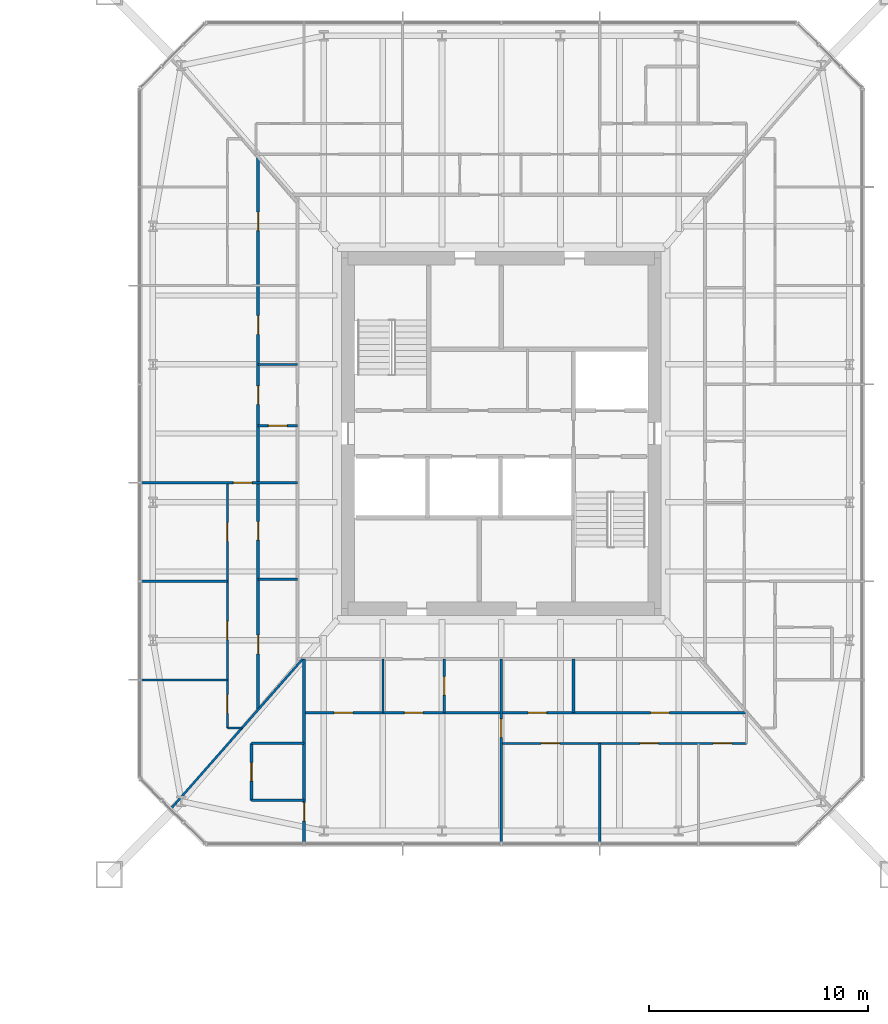
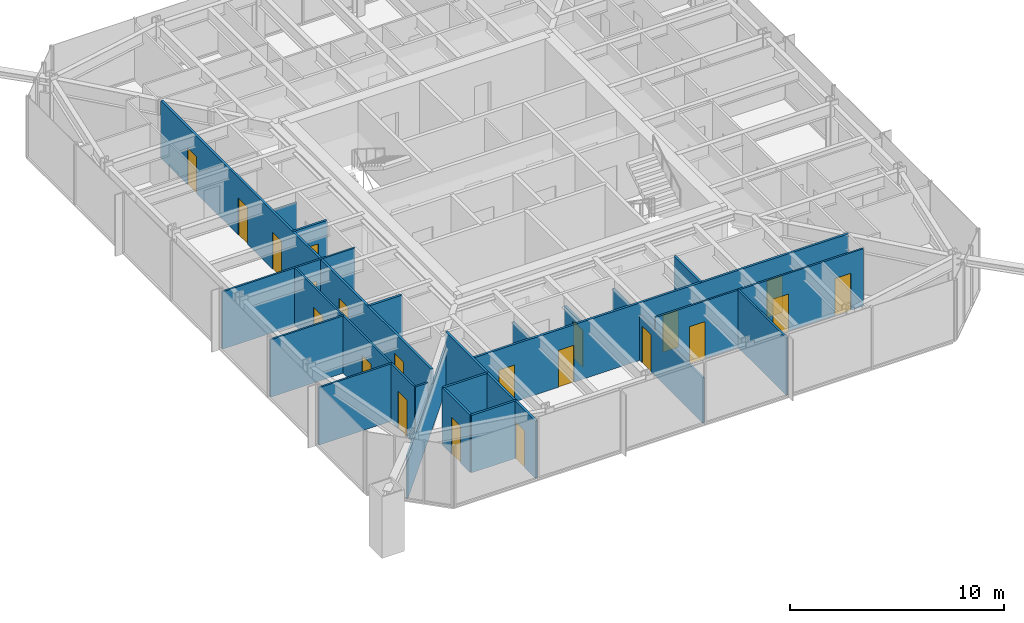
# One storey, part 18 of 26: 21 doors, 21 walls, 21 openings.
"""IFC4 building model written with IfcOpenShell, lengths in metres."""

from ifc_helpers import new_model, si_unit, direction, frame, frame_2d, origin, place, context, subcontext, project, spatial, rectangle, extrude, material, layer, layer_set, type_object, element, fill, save


model = new_model("IFC4")

# Units and contexts
model_context = context("Model", 3, precision=1e-05, world=origin(), true_north=direction((0.0, 1.0)))
body_context = subcontext(model_context, "Body", "Model", "MODEL_VIEW")
ifc_project = project(units=[si_unit("LENGTHUNIT", "METRE"), si_unit("AREAUNIT", "SQUARE_METRE"), si_unit("VOLUMEUNIT", "CUBIC_METRE"), si_unit("PLANEANGLEUNIT", "RADIAN"), si_unit("MASSUNIT", "GRAM", prefix="KILO")], contexts=[model_context])

# Site, building, storey
site_placement = place(None, origin())
site = spatial("IfcSite", under=ifc_project, at=site_placement, CompositionType="ELEMENT")
building_placement = place(site_placement, origin())
building = spatial("IfcBuilding", under=site, at=building_placement, Name="Iwan Alto Co-Living Towers", CompositionType="ELEMENT")
storey_placement = place(building_placement, frame((0.0, 0.0, 36.0)))
storey = spatial("IfcBuildingStorey", under=building, at=storey_placement, Name="L09", CompositionType="ELEMENT", Elevation=36.0)

# Wall, openings, doors
ifc_material_1 = material(Name="Gypsum board")
ifc_layer_1 = layer(ifc_material_1, 0.012451171875, Name="Board", Category="Finish")
ifc_material_2 = material(Name="Steel ASTM A1003 ST33H cold-formed studs", Category="steel")
ifc_layer_2 = layer(ifc_material_2, 0.074951171875, Name="Studs", Category="Framing")
ifc_layer_3 = layer(ifc_material_1, 0.012451171875, Name="Board", Category="Finish")
ifc_layer_set_1 = layer_set([ifc_layer_1, ifc_layer_2, ifc_layer_3], Name="PARTITION 100")
wall_type_1 = type_object("IfcWallType", Name="PARTITION 100", PredefinedType="PARTITIONING", material=ifc_layer_set_1)
wall_1_placement = place(storey_placement, frame((63.0, -14.14990234375, 0.0), z_axis=(0.0, 0.0, 1.0), x_axis=(1.0, 0.0, 0.0)))
wall_1 = element("IfcWall", 1, at=wall_1_placement, inside=storey, type_object=wall_type_1, Name="Partition L09", PredefinedType="PARTITIONING", context=body_context, shape_type="SweptSolid", body=[
    extrude(rectangle(XDim=11.199951171875, YDim=0.10009765625, at=frame_2d((5.60009765625, 0.0))), origin(), (0.0, 0.0, 1.0), 3.27001953125),
])
opening_1_placement = place(wall_1_placement, frame((1.824951171875, 0.0, 0.0)))
opening_1 = element("IfcOpeningElement", 2, at=opening_1_placement, cuts=wall_1, Name="Opening D2", PredefinedType="OPENING", context=body_context, shape_type="SweptSolid", body=[
    extrude(rectangle(XDim=0.85009765625, YDim=2.10009765625, at=frame_2d((0.425048828125, 1.050048828125))), frame((0.0, 0.06005859375, 0.0), z_axis=(0.0, -1.0, 0.0), x_axis=(1.0, 0.0, 0.0)), (0.0, 0.0, 1.0), 0.1201171875),
])
opening_2_placement = place(wall_1_placement, frame((6.324951171875, 0.0, 0.0)))
opening_2 = element("IfcOpeningElement", 3, at=opening_2_placement, cuts=wall_1, Name="Opening D2", PredefinedType="OPENING", context=body_context, shape_type="SweptSolid", body=[
    extrude(rectangle(XDim=0.85009765625, YDim=2.10009765625, at=frame_2d((0.425048828125, 1.050048828125))), frame((0.0, 0.06005859375, 0.0), z_axis=(0.0, -1.0, 0.0), x_axis=(1.0, 0.0, 0.0)), (0.0, 0.0, 1.0), 0.1201171875),
])
opening_3_placement = place(wall_1_placement, frame((9.675048828125, 0.0, 0.0)))
opening_3 = element("IfcOpeningElement", 4, at=opening_3_placement, cuts=wall_1, Name="Opening D2", PredefinedType="OPENING", context=body_context, shape_type="SweptSolid", body=[
    extrude(rectangle(XDim=0.85009765625, YDim=2.10009765625, at=frame_2d((0.425048828125, 1.050048828125))), frame((0.0, 0.06005859375, 0.0), z_axis=(0.0, -1.0, 0.0), x_axis=(1.0, 0.0, 0.0)), (0.0, 0.0, 1.0), 0.1201171875),
])
ifc_material_3 = material(Name="Timber leaf in steel frame", Category="steel")
door_type = type_object("IfcDoorType", Name="ROOM DOOR 850X2100", OperationType="SINGLE_SWING_LEFT", PredefinedType="DOOR", material=ifc_material_3)
door_1_placement = place(opening_1_placement, frame((0.85009765625, 0.0, 0.0), z_axis=(0.0, 0.0, 1.0), x_axis=(-1.0, 0.0, 0.0)))
door_1 = element("IfcDoor", 5, at=door_1_placement, inside=storey, type_object=door_type, Name="Study door L09", OperationType="SINGLE_SWING_RIGHT", OverallHeight=2.10009765625, OverallWidth=0.85009765625, PredefinedType="DOOR", context=body_context, shape_type="SweptSolid", body=[
    extrude(rectangle(XDim=0.85009765625, YDim=2.10009765625, at=frame_2d((0.425048828125, 1.050048828125))), frame((0.0, 0.02490234375, 0.0), z_axis=(0.0, -1.0, 0.0), x_axis=(1.0, 0.0, 0.0)), (0.0, 0.0, 1.0), 0.050048828125),
])
fill(opening_1, door_1)
door_2_placement = place(opening_2_placement, frame((0.85009765625, 0.0, 0.0), z_axis=(0.0, 0.0, 1.0), x_axis=(-1.0, 0.0, 0.0)))
door_2 = element("IfcDoor", 6, at=door_2_placement, inside=storey, type_object=door_type, Name="Bedroom door L09", OperationType="SINGLE_SWING_RIGHT", OverallHeight=2.10009765625, OverallWidth=0.85009765625, PredefinedType="DOOR", context=body_context, shape_type="SweptSolid", body=[
    extrude(rectangle(XDim=0.85009765625, YDim=2.10009765625, at=frame_2d((0.425048828125, 1.050048828125))), frame((0.0, 0.02490234375, 0.0), z_axis=(0.0, -1.0, 0.0), x_axis=(1.0, 0.0, 0.0)), (0.0, 0.0, 1.0), 0.050048828125),
])
fill(opening_2, door_2)
door_3_placement = place(opening_3_placement, frame((0.85009765625, 0.0, 0.0), z_axis=(0.0, 0.0, 1.0), x_axis=(-1.0, 0.0, 0.0)))
door_3 = element("IfcDoor", 7, at=door_3_placement, inside=storey, type_object=door_type, Name="Bedroom door L09", OperationType="SINGLE_SWING_RIGHT", OverallHeight=2.10009765625, OverallWidth=0.85009765625, PredefinedType="DOOR", context=body_context, shape_type="SweptSolid", body=[
    extrude(rectangle(XDim=0.85009765625, YDim=2.10009765625, at=frame_2d((0.425048828125, 1.050048828125))), frame((0.0, 0.02490234375, 0.0), z_axis=(0.0, -1.0, 0.0), x_axis=(1.0, 0.0, 0.0)), (0.0, 0.0, 1.0), 0.050048828125),
])
fill(opening_3, door_3)

# Walls
wall_2_placement = place(storey_placement, frame((50.5, -13.449951171875, 0.0), z_axis=(0.0, 0.0, 1.0), x_axis=(1.0, 0.0, 0.0)))
element("IfcWall", 8, at=wall_2_placement, inside=storey, type_object=wall_type_1, Name="Partition L09", PredefinedType="PARTITIONING", context=body_context, shape_type="SweptSolid", body=[
    extrude(rectangle(XDim=0.6640625, YDim=0.10009765625, at=frame_2d((0.33203125, 0.0))), origin(), (0.0, 0.0, 1.0), 3.27001953125),
])
for number, where, z_axis, x_axis, name in (
    (9, (46.56005859375, -11.25, 0.0), (0.0, 0.0, 1.0), (1.0, 0.0, 0.0), "Partition L09"),
    (10, (46.56005859375, -6.75, 0.0), (0.0, 0.0, 1.0), (1.0, 0.0, 0.0), "Partition L09"),
):
    element("IfcWall", number, at=place(storey_placement, frame(where, z_axis=z_axis, x_axis=x_axis)), inside=storey, type_object=wall_type_1, Name=name, PredefinedType="PARTITIONING", context=body_context, shape_type="SweptSolid", body=[
        extrude(rectangle(XDim=3.93994140625, YDim=0.10009765625, at=frame_2d((1.969970703125, 0.0))), origin(), (0.0, 0.0, 1.0), 3.27001953125),
    ])

# Wall, opening, door
wall_3_placement = place(storey_placement, frame((46.56005859375, -2.25, 0.0), z_axis=(0.0, 0.0, 1.0), x_axis=(1.0, 0.0, 0.0)))
wall_3 = element("IfcWall", 11, at=wall_3_placement, inside=storey, type_object=wall_type_1, Name="Partition L09", PredefinedType="PARTITIONING", context=body_context, shape_type="SweptSolid", body=[
    extrude(rectangle(XDim=7.139892578125, YDim=0.10009765625, at=frame_2d((3.56982421875, 0.0))), origin(), (0.0, 0.0, 1.0), 3.27001953125),
])
opening_4_placement = place(wall_3_placement, frame((4.215087890625, 0.0, 0.0)))
opening_4 = element("IfcOpeningElement", 12, at=opening_4_placement, cuts=wall_3, Name="Opening D2", PredefinedType="OPENING", context=body_context, shape_type="SweptSolid", body=[
    extrude(rectangle(XDim=0.85009765625, YDim=2.10009765625, at=frame_2d((0.425048828125, 1.050048828125))), frame((0.0, 0.06005859375, 0.0), z_axis=(0.0, -1.0, 0.0), x_axis=(1.0, 0.0, 0.0)), (0.0, 0.0, 1.0), 0.1201171875),
])
door_4_placement = place(opening_4_placement, origin())
door_4 = element("IfcDoor", 13, at=door_4_placement, inside=storey, type_object=door_type, Name="Apartment hall door L09", OperationType="SINGLE_SWING_RIGHT", OverallHeight=2.10009765625, OverallWidth=0.85009765625, PredefinedType="DOOR", context=body_context, shape_type="SweptSolid", body=[
    extrude(rectangle(XDim=0.85009765625, YDim=2.10009765625, at=frame_2d((0.425048828125, 1.050048828125))), frame((0.0, 0.02490234375, 0.0), z_axis=(0.0, -1.0, 0.0), x_axis=(1.0, 0.0, 0.0)), (0.0, 0.0, 1.0), 0.050048828125),
])
fill(opening_4, door_4)

# Walls
wall_4_placement = place(storey_placement, frame((51.89990234375, 3.14990234375, 0.0), z_axis=(0.0, 0.0, 1.0), x_axis=(1.0, 0.0, 0.0)))
element("IfcWall", 14, at=wall_4_placement, inside=storey, type_object=wall_type_1, Name="Partition L09", PredefinedType="PARTITIONING", context=body_context, shape_type="SweptSolid", body=[
    extrude(rectangle(XDim=1.800048828125, YDim=0.10009765625, at=frame_2d((0.89990234375, 0.0))), origin(), (0.0, 0.0, 1.0), 2.586669921875),
])
wall_5_placement = place(storey_placement, frame((47.944091796875, -17.10888671875, 0.0), z_axis=(0.0, 0.0, 1.0), x_axis=(0.660638210404, 0.750704439146, 0.0)))
element("IfcWall", 15, at=wall_5_placement, inside=storey, type_object=wall_type_1, Name="Partition L09", PredefinedType="PARTITIONING", context=body_context, shape_type="SweptSolid", body=[
    extrude(rectangle(XDim=9.06982421875, YDim=0.10009765625, at=frame_2d((4.534912109375, 0.0))), origin(), (0.0, 0.0, 1.0), 2.42919921875),
])
wall_6_placement = place(storey_placement, frame((67.5, -18.68994140625, 0.0), z_axis=(0.0, 0.0, 1.0), x_axis=(0.0, 1.0, 0.0)))
element("IfcWall", 16, at=wall_6_placement, inside=storey, type_object=wall_type_1, Name="Partition L09", PredefinedType="PARTITIONING", context=body_context, shape_type="SweptSolid", body=[
    extrude(rectangle(XDim=4.5400390625, YDim=0.10009765625, at=frame_2d((2.27001953125, 0.0))), origin(), (0.0, 0.0, 1.0), 3.27001953125),
])

# Wall, opening, door
wall_7_placement = place(storey_placement, frame((63.0, -18.68994140625, 0.0), z_axis=(0.0, 0.0, 1.0), x_axis=(0.0, 1.0, 0.0)))
wall_7 = element("IfcWall", 17, at=wall_7_placement, inside=storey, type_object=wall_type_1, Name="Partition L09", PredefinedType="PARTITIONING", context=body_context, shape_type="SweptSolid", body=[
    extrude(rectangle(XDim=8.389892578125, YDim=0.10009765625, at=frame_2d((4.19482421875, 0.0))), origin(), (0.0, 0.0, 1.0), 2.586669921875),
])
opening_5_placement = place(wall_7_placement, frame((4.81494140625, 0.0, 0.0)))
opening_5 = element("IfcOpeningElement", 18, at=opening_5_placement, cuts=wall_7, Name="Opening D2", PredefinedType="OPENING", context=body_context, shape_type="SweptSolid", body=[
    extrude(rectangle(XDim=0.85009765625, YDim=2.10009765625, at=frame_2d((0.425048828125, 1.050048828125))), frame((0.0, 0.06005859375, 0.0), z_axis=(0.0, -1.0, 0.0), x_axis=(1.0, 0.0, 0.0)), (0.0, 0.0, 1.0), 0.1201171875),
])
door_5_placement = place(opening_5_placement, origin())
door_5 = element("IfcDoor", 19, at=door_5_placement, inside=storey, type_object=door_type, Name="Apartment hall door L09", OperationType="SINGLE_SWING_RIGHT", OverallHeight=2.10009765625, OverallWidth=0.85009765625, PredefinedType="DOOR", context=body_context, shape_type="SweptSolid", body=[
    extrude(rectangle(XDim=0.85009765625, YDim=2.10009765625, at=frame_2d((0.425048828125, 1.050048828125))), frame((0.0, 0.02490234375, 0.0), z_axis=(0.0, -1.0, 0.0), x_axis=(1.0, 0.0, 0.0)), (0.0, 0.0, 1.0), 0.050048828125),
])
fill(opening_5, door_5)

# Wall
wall_8_placement = place(storey_placement, frame((57.60009765625, -12.75, 0.0), z_axis=(0.0, 0.0, 1.0), x_axis=(0.0, 1.0, 0.0)))
element("IfcWall", 20, at=wall_8_placement, inside=storey, type_object=wall_type_1, Name="Partition L09", PredefinedType="PARTITIONING", context=body_context, shape_type="SweptSolid", body=[
    extrude(rectangle(XDim=2.449951171875, YDim=0.10009765625, at=frame_2d((1.22509765625, 0.0))), origin(), (0.0, 0.0, 1.0), 2.586669921875),
])

# Wall, openings, doors
wall_9_placement = place(storey_placement, frame((50.5, -13.449951171875, 0.0), z_axis=(0.0, 0.0, 1.0), x_axis=(0.0, 1.0, 0.0)))
wall_9 = element("IfcWall", 21, at=wall_9_placement, inside=storey, type_object=wall_type_1, Name="Partition L09", PredefinedType="PARTITIONING", context=body_context, shape_type="SweptSolid", body=[
    extrude(rectangle(XDim=11.199951171875, YDim=0.10009765625, at=frame_2d((5.60009765625, 0.0))), origin(), (0.0, 0.0, 1.0), 3.27001953125),
])
opening_6_placement = place(wall_9_placement, frame((8.52490234375, 0.0, 0.0)))
opening_6 = element("IfcOpeningElement", 22, at=opening_6_placement, cuts=wall_9, Name="Opening D2", PredefinedType="OPENING", context=body_context, shape_type="SweptSolid", body=[
    extrude(rectangle(XDim=0.85009765625, YDim=2.10009765625, at=frame_2d((0.425048828125, 1.050048828125))), frame((0.0, 0.06005859375, 0.0), z_axis=(0.0, -1.0, 0.0), x_axis=(1.0, 0.0, 0.0)), (0.0, 0.0, 1.0), 0.1201171875),
])
opening_7_placement = place(wall_9_placement, frame((4.02490234375, 0.0, 0.0)))
opening_7 = element("IfcOpeningElement", 23, at=opening_7_placement, cuts=wall_9, Name="Opening D2", PredefinedType="OPENING", context=body_context, shape_type="SweptSolid", body=[
    extrude(rectangle(XDim=0.85009765625, YDim=2.10009765625, at=frame_2d((0.425048828125, 1.050048828125))), frame((0.0, 0.06005859375, 0.0), z_axis=(0.0, -1.0, 0.0), x_axis=(1.0, 0.0, 0.0)), (0.0, 0.0, 1.0), 0.1201171875),
])
opening_8_placement = place(wall_9_placement, frame((0.675048828125, 0.0, 0.0)))
opening_8 = element("IfcOpeningElement", 24, at=opening_8_placement, cuts=wall_9, Name="Opening D2", PredefinedType="OPENING", context=body_context, shape_type="SweptSolid", body=[
    extrude(rectangle(XDim=0.85009765625, YDim=2.10009765625, at=frame_2d((0.425048828125, 1.050048828125))), frame((0.0, 0.06005859375, 0.0), z_axis=(0.0, -1.0, 0.0), x_axis=(1.0, 0.0, 0.0)), (0.0, 0.0, 1.0), 0.1201171875),
])
door_6_placement = place(opening_6_placement, origin())
door_6 = element("IfcDoor", 25, at=door_6_placement, inside=storey, type_object=door_type, Name="Family room door L09", OperationType="SINGLE_SWING_LEFT", OverallHeight=2.10009765625, OverallWidth=0.85009765625, PredefinedType="DOOR", context=body_context, shape_type="SweptSolid", body=[
    extrude(rectangle(XDim=0.85009765625, YDim=2.10009765625, at=frame_2d((0.425048828125, 1.050048828125))), frame((0.0, 0.02490234375, 0.0), z_axis=(0.0, -1.0, 0.0), x_axis=(1.0, 0.0, 0.0)), (0.0, 0.0, 1.0), 0.050048828125),
])
fill(opening_6, door_6)
door_7_placement = place(opening_7_placement, origin())
door_7 = element("IfcDoor", 26, at=door_7_placement, inside=storey, type_object=door_type, Name="Bedroom door L09", OperationType="SINGLE_SWING_LEFT", OverallHeight=2.10009765625, OverallWidth=0.85009765625, PredefinedType="DOOR", context=body_context, shape_type="SweptSolid", body=[
    extrude(rectangle(XDim=0.85009765625, YDim=2.10009765625, at=frame_2d((0.425048828125, 1.050048828125))), frame((0.0, 0.02490234375, 0.0), z_axis=(0.0, -1.0, 0.0), x_axis=(1.0, 0.0, 0.0)), (0.0, 0.0, 1.0), 0.050048828125),
])
fill(opening_7, door_7)
door_8_placement = place(opening_8_placement, origin())
door_8 = element("IfcDoor", 27, at=door_8_placement, inside=storey, type_object=door_type, Name="Bedroom door L09", OperationType="SINGLE_SWING_RIGHT", OverallHeight=2.10009765625, OverallWidth=0.85009765625, PredefinedType="DOOR", context=body_context, shape_type="SweptSolid", body=[
    extrude(rectangle(XDim=0.85009765625, YDim=2.10009765625, at=frame_2d((0.425048828125, 1.050048828125))), frame((0.0, 0.02490234375, 0.0), z_axis=(0.0, -1.0, 0.0), x_axis=(1.0, 0.0, 0.0)), (0.0, 0.0, 1.0), 0.050048828125),
])
fill(opening_8, door_8)

# Walls
ifc_material_4 = material(Name="Cement board")
ifc_layer_4 = layer(ifc_material_4, 0.012451171875, Name="Board", Category="Finish")
ifc_layer_5 = layer(ifc_material_2, 0.094970703125, Name="Studs", Category="Framing")
ifc_layer_6 = layer(ifc_material_4, 0.012451171875, Name="Board", Category="Finish")
ifc_layer_set_2 = layer_set([ifc_layer_4, ifc_layer_5, ifc_layer_6], Name="WET AREA PARTITION 120")
wall_type_2 = type_object("IfcWallType", Name="WET AREA PARTITION 120", PredefinedType="PARTITIONING", material=ifc_layer_set_2)
for number, where, z_axis, x_axis, name in (
    (28, (51.60009765625, -16.75, 0.0), (0.0, 0.0, 1.0), (1.0, 0.0, 0.0), "Partition L09"),
    (29, (51.60009765625, -14.14990234375, 0.0), (0.0, 0.0, 1.0), (1.0, 0.0, 0.0), "Partition L09"),
):
    element("IfcWall", number, at=place(storey_placement, frame(where, z_axis=z_axis, x_axis=x_axis)), inside=storey, type_object=wall_type_2, Name=name, PredefinedType="PARTITIONING", context=body_context, shape_type="SweptSolid", body=[
        extrude(rectangle(XDim=2.39990234375, YDim=0.1201171875, at=frame_2d((1.199951171875, 0.0))), origin(), (0.0, 0.0, 1.0), 3.27001953125),
    ])

# Wall, openings, doors
wall_10_placement = place(storey_placement, frame((54.0, -12.75, 0.0), z_axis=(0.0, 0.0, 1.0), x_axis=(1.0, 0.0, 0.0)))
wall_10 = element("IfcWall", 30, at=wall_10_placement, inside=storey, type_object=wall_type_2, Name="Partition L09", PredefinedType="PARTITIONING", context=body_context, shape_type="SweptSolid", body=[
    extrude(rectangle(XDim=20.199951171875, YDim=0.1201171875, at=frame_2d((10.10009765625, 0.0))), origin(), (0.0, 0.0, 1.0), 3.27001953125),
])
opening_9_placement = place(wall_10_placement, frame((1.375, 0.0, 0.0)))
opening_9 = element("IfcOpeningElement", 31, at=opening_9_placement, cuts=wall_10, Name="Opening D2", PredefinedType="OPENING", context=body_context, shape_type="SweptSolid", body=[
    extrude(rectangle(XDim=0.85009765625, YDim=2.10009765625, at=frame_2d((0.425048828125, 1.050048828125))), frame((0.0, 0.070068359375, 0.0), z_axis=(0.0, -1.0, 0.0), x_axis=(1.0, 0.0, 0.0)), (0.0, 0.0, 1.0), 0.14013671875),
])
opening_10_placement = place(wall_10_placement, frame((4.574951171875, 0.0, 0.0)))
opening_10 = element("IfcOpeningElement", 32, at=opening_10_placement, cuts=wall_10, Name="Opening D2", PredefinedType="OPENING", context=body_context, shape_type="SweptSolid", body=[
    extrude(rectangle(XDim=0.85009765625, YDim=2.10009765625, at=frame_2d((0.425048828125, 1.050048828125))), frame((0.0, 0.070068359375, 0.0), z_axis=(0.0, -1.0, 0.0), x_axis=(1.0, 0.0, 0.0)), (0.0, 0.0, 1.0), 0.14013671875),
])
opening_11_placement = place(wall_10_placement, frame((10.22509765625, 0.0, 0.0)))
opening_11 = element("IfcOpeningElement", 33, at=opening_11_placement, cuts=wall_10, Name="Opening D2", PredefinedType="OPENING", context=body_context, shape_type="SweptSolid", body=[
    extrude(rectangle(XDim=0.85009765625, YDim=2.10009765625, at=frame_2d((0.425048828125, 1.050048828125))), frame((0.0, 0.070068359375, 0.0), z_axis=(0.0, -1.0, 0.0), x_axis=(1.0, 0.0, 0.0)), (0.0, 0.0, 1.0), 0.14013671875),
])
opening_12_placement = place(wall_10_placement, frame((15.824951171875, 0.0, 0.0)))
opening_12 = element("IfcOpeningElement", 34, at=opening_12_placement, cuts=wall_10, Name="Opening D2", PredefinedType="OPENING", context=body_context, shape_type="SweptSolid", body=[
    extrude(rectangle(XDim=0.85009765625, YDim=2.10009765625, at=frame_2d((0.425048828125, 1.050048828125))), frame((0.0, 0.070068359375, 0.0), z_axis=(0.0, -1.0, 0.0), x_axis=(1.0, 0.0, 0.0)), (0.0, 0.0, 1.0), 0.14013671875),
])
door_9_placement = place(opening_9_placement, frame((0.85009765625, 0.0, 0.0), z_axis=(0.0, 0.0, 1.0), x_axis=(-1.0, 0.0, 0.0)))
door_9 = element("IfcDoor", 35, at=door_9_placement, inside=storey, type_object=door_type, Name="Kitchen door L09", OperationType="SINGLE_SWING_RIGHT", OverallHeight=2.10009765625, OverallWidth=0.85009765625, PredefinedType="DOOR", context=body_context, shape_type="SweptSolid", body=[
    extrude(rectangle(XDim=0.85009765625, YDim=2.10009765625, at=frame_2d((0.425048828125, 1.050048828125))), frame((0.0, 0.02490234375, 0.0), z_axis=(0.0, -1.0, 0.0), x_axis=(1.0, 0.0, 0.0)), (0.0, 0.0, 1.0), 0.050048828125),
])
fill(opening_9, door_9)
door_10_placement = place(opening_10_placement, frame((0.85009765625, 0.0, 0.0), z_axis=(0.0, 0.0, 1.0), x_axis=(-1.0, 0.0, 0.0)))
door_10 = element("IfcDoor", 36, at=door_10_placement, inside=storey, type_object=door_type, Name="Apartment foyer door L09", OperationType="SINGLE_SWING_LEFT", OverallHeight=2.10009765625, OverallWidth=0.85009765625, PredefinedType="DOOR", context=body_context, shape_type="SweptSolid", body=[
    extrude(rectangle(XDim=0.85009765625, YDim=2.10009765625, at=frame_2d((0.425048828125, 1.050048828125))), frame((0.0, 0.02490234375, 0.0), z_axis=(0.0, -1.0, 0.0), x_axis=(1.0, 0.0, 0.0)), (0.0, 0.0, 1.0), 0.050048828125),
])
fill(opening_10, door_10)
door_11_placement = place(opening_11_placement, origin())
door_11 = element("IfcDoor", 37, at=door_11_placement, inside=storey, type_object=door_type, Name="Utility room door L09", OperationType="SINGLE_SWING_LEFT", OverallHeight=2.10009765625, OverallWidth=0.85009765625, PredefinedType="DOOR", context=body_context, shape_type="SweptSolid", body=[
    extrude(rectangle(XDim=0.85009765625, YDim=2.10009765625, at=frame_2d((0.425048828125, 1.050048828125))), frame((0.0, 0.02490234375, 0.0), z_axis=(0.0, -1.0, 0.0), x_axis=(1.0, 0.0, 0.0)), (0.0, 0.0, 1.0), 0.050048828125),
])
fill(opening_11, door_11)
door_12_placement = place(opening_12_placement, origin())
door_12 = element("IfcDoor", 38, at=door_12_placement, inside=storey, type_object=door_type, Name="Store room door L09", OperationType="SINGLE_SWING_RIGHT", OverallHeight=2.10009765625, OverallWidth=0.85009765625, PredefinedType="DOOR", context=body_context, shape_type="SweptSolid", body=[
    extrude(rectangle(XDim=0.85009765625, YDim=2.10009765625, at=frame_2d((0.425048828125, 1.050048828125))), frame((0.0, 0.02490234375, 0.0), z_axis=(0.0, -1.0, 0.0), x_axis=(1.0, 0.0, 0.0)), (0.0, 0.0, 1.0), 0.050048828125),
])
fill(opening_12, door_12)

# Wall
wall_11_placement = place(storey_placement, frame((51.89990234375, -6.64990234375, 0.0), z_axis=(0.0, 0.0, 1.0), x_axis=(1.0, 0.0, 0.0)))
element("IfcWall", 39, at=wall_11_placement, inside=storey, type_object=wall_type_2, Name="Partition L09", PredefinedType="PARTITIONING", context=body_context, shape_type="SweptSolid", body=[
    extrude(rectangle(XDim=1.800048828125, YDim=0.1201171875, at=frame_2d((0.89990234375, 0.0))), origin(), (0.0, 0.0, 1.0), 3.27001953125),
])

# Wall, opening, door
wall_12_placement = place(storey_placement, frame((51.89990234375, 0.35009765625, 0.0), z_axis=(0.0, 0.0, 1.0), x_axis=(1.0, 0.0, 0.0)))
wall_12 = element("IfcWall", 40, at=wall_12_placement, inside=storey, type_object=wall_type_2, Name="Partition L09", PredefinedType="PARTITIONING", context=body_context, shape_type="SweptSolid", body=[
    extrude(rectangle(XDim=1.800048828125, YDim=0.1201171875, at=frame_2d((0.89990234375, 0.0))), origin(), (0.0, 0.0, 1.0), 3.27001953125),
])
opening_13_placement = place(wall_12_placement, frame((0.47509765625, 0.0, 0.0)))
opening_13 = element("IfcOpeningElement", 41, at=opening_13_placement, cuts=wall_12, Name="Opening D2", PredefinedType="OPENING", context=body_context, shape_type="SweptSolid", body=[
    extrude(rectangle(XDim=0.85009765625, YDim=2.10009765625, at=frame_2d((0.425048828125, 1.050048828125))), frame((0.0, 0.070068359375, 0.0), z_axis=(0.0, -1.0, 0.0), x_axis=(1.0, 0.0, 0.0)), (0.0, 0.0, 1.0), 0.14013671875),
])
door_13_placement = place(opening_13_placement, frame((0.85009765625, 0.0, 0.0), z_axis=(0.0, 0.0, 1.0), x_axis=(-1.0, 0.0, 0.0)))
door_13 = element("IfcDoor", 42, at=door_13_placement, inside=storey, type_object=door_type, Name="Bathroom door L09", OperationType="SINGLE_SWING_RIGHT", OverallHeight=2.10009765625, OverallWidth=0.85009765625, PredefinedType="DOOR", context=body_context, shape_type="SweptSolid", body=[
    extrude(rectangle(XDim=0.85009765625, YDim=2.10009765625, at=frame_2d((0.425048828125, 1.050048828125))), frame((0.0, 0.02490234375, 0.0), z_axis=(0.0, -1.0, 0.0), x_axis=(1.0, 0.0, 0.0)), (0.0, 0.0, 1.0), 0.050048828125),
])
fill(opening_13, door_13)

# Wall
wall_13_placement = place(storey_placement, frame((66.300048828125, -12.75, 0.0), z_axis=(0.0, 0.0, 1.0), x_axis=(0.0, 1.0, 0.0)))
element("IfcWall", 43, at=wall_13_placement, inside=storey, type_object=wall_type_2, Name="Partition L09", PredefinedType="PARTITIONING", context=body_context, shape_type="SweptSolid", body=[
    extrude(rectangle(XDim=2.449951171875, YDim=0.1201171875, at=frame_2d((1.22509765625, 0.0))), origin(), (0.0, 0.0, 1.0), 3.27001953125),
])

# Wall, opening, door
wall_14_placement = place(storey_placement, frame((60.39990234375, -12.75, 0.0), z_axis=(0.0, 0.0, 1.0), x_axis=(0.0, 1.0, 0.0)))
wall_14 = element("IfcWall", 44, at=wall_14_placement, inside=storey, type_object=wall_type_2, Name="Partition L09", PredefinedType="PARTITIONING", context=body_context, shape_type="SweptSolid", body=[
    extrude(rectangle(XDim=2.449951171875, YDim=0.1201171875, at=frame_2d((1.22509765625, 0.0))), origin(), (0.0, 0.0, 1.0), 2.508056640625),
])
opening_14_placement = place(wall_14_placement, frame((0.800048828125, 0.0, 0.0)))
opening_14 = element("IfcOpeningElement", 45, at=opening_14_placement, cuts=wall_14, Name="Opening D2", PredefinedType="OPENING", context=body_context, shape_type="SweptSolid", body=[
    extrude(rectangle(XDim=0.85009765625, YDim=2.10009765625, at=frame_2d((0.425048828125, 1.050048828125))), frame((0.0, 0.070068359375, 0.0), z_axis=(0.0, -1.0, 0.0), x_axis=(1.0, 0.0, 0.0)), (0.0, 0.0, 1.0), 0.14013671875),
])
door_14_placement = place(opening_14_placement, frame((0.85009765625, 0.0, 0.0), z_axis=(0.0, 0.0, 1.0), x_axis=(-1.0, 0.0, 0.0)))
door_14 = element("IfcDoor", 46, at=door_14_placement, inside=storey, type_object=door_type, Name="Bathroom door L09", OperationType="SINGLE_SWING_RIGHT", OverallHeight=2.10009765625, OverallWidth=0.85009765625, PredefinedType="DOOR", context=body_context, shape_type="SweptSolid", body=[
    extrude(rectangle(XDim=0.85009765625, YDim=2.10009765625, at=frame_2d((0.425048828125, 1.050048828125))), frame((0.0, 0.02490234375, 0.0), z_axis=(0.0, -1.0, 0.0), x_axis=(1.0, 0.0, 0.0)), (0.0, 0.0, 1.0), 0.050048828125),
])
fill(opening_14, door_14)

wall_15_placement = place(storey_placement, frame((54.0, -18.68994140625, 0.0), z_axis=(0.0, 0.0, 1.0), x_axis=(0.0, 1.0, 0.0)))
wall_15 = element("IfcWall", 47, at=wall_15_placement, inside=storey, type_object=wall_type_2, Name="Partition L09", PredefinedType="PARTITIONING", context=body_context, shape_type="SweptSolid", body=[
    extrude(rectangle(XDim=8.389892578125, YDim=0.1201171875, at=frame_2d((4.19482421875, 0.0))), origin(), (0.0, 0.0, 1.0), 3.27001953125),
])
opening_15_placement = place(wall_15_placement, frame((0.989990234375, 0.0, 0.0)))
opening_15 = element("IfcOpeningElement", 48, at=opening_15_placement, cuts=wall_15, Name="Opening D2", PredefinedType="OPENING", context=body_context, shape_type="SweptSolid", body=[
    extrude(rectangle(XDim=0.85009765625, YDim=2.10009765625, at=frame_2d((0.425048828125, 1.050048828125))), frame((0.0, 0.070068359375, 0.0), z_axis=(0.0, -1.0, 0.0), x_axis=(1.0, 0.0, 0.0)), (0.0, 0.0, 1.0), 0.14013671875),
])
door_15_placement = place(opening_15_placement, frame((0.85009765625, 0.0, 0.0), z_axis=(0.0, 0.0, 1.0), x_axis=(-1.0, 0.0, 0.0)))
door_15 = element("IfcDoor", 49, at=door_15_placement, inside=storey, type_object=door_type, Name="Bedroom door L09", OperationType="SINGLE_SWING_RIGHT", OverallHeight=2.10009765625, OverallWidth=0.85009765625, PredefinedType="DOOR", context=body_context, shape_type="SweptSolid", body=[
    extrude(rectangle(XDim=0.85009765625, YDim=2.10009765625, at=frame_2d((0.425048828125, 1.050048828125))), frame((0.0, 0.02490234375, 0.0), z_axis=(0.0, -1.0, 0.0), x_axis=(1.0, 0.0, 0.0)), (0.0, 0.0, 1.0), 0.050048828125),
])
fill(opening_15, door_15)

# Wall, openings, doors
wall_16_placement = place(storey_placement, frame((51.89990234375, -12.614013671875, 0.0), z_axis=(0.0, 0.0, 1.0), x_axis=(0.0, 1.0, 0.0)))
wall_16 = element("IfcWall", 50, at=wall_16_placement, inside=storey, type_object=wall_type_2, Name="Partition L09", PredefinedType="PARTITIONING", context=body_context, shape_type="SweptSolid", body=[
    extrude(rectangle(XDim=25.22802734375, YDim=0.1201171875, at=frame_2d((12.614013671875, 0.0))), origin(), (0.0, 0.0, 1.0), 3.27001953125),
])
opening_16_placement = place(wall_16_placement, frame((17.138916015625, 0.0, 0.0)))
opening_16 = element("IfcOpeningElement", 51, at=opening_16_placement, cuts=wall_16, Name="Opening D2", PredefinedType="OPENING", context=body_context, shape_type="SweptSolid", body=[
    extrude(rectangle(XDim=0.85009765625, YDim=2.10009765625, at=frame_2d((0.425048828125, 1.050048828125))), frame((0.0, 0.070068359375, 0.0), z_axis=(0.0, -1.0, 0.0), x_axis=(1.0, 0.0, 0.0)), (0.0, 0.0, 1.0), 0.14013671875),
])
opening_17_placement = place(wall_16_placement, frame((13.93896484375, 0.0, 0.0)))
opening_17 = element("IfcOpeningElement", 52, at=opening_17_placement, cuts=wall_16, Name="Opening D2", PredefinedType="OPENING", context=body_context, shape_type="SweptSolid", body=[
    extrude(rectangle(XDim=0.85009765625, YDim=2.10009765625, at=frame_2d((0.425048828125, 1.050048828125))), frame((0.0, 0.070068359375, 0.0), z_axis=(0.0, -1.0, 0.0), x_axis=(1.0, 0.0, 0.0)), (0.0, 0.0, 1.0), 0.14013671875),
])
opening_18_placement = place(wall_16_placement, frame((21.87109375, 0.0, 0.0)))
opening_18 = element("IfcOpeningElement", 53, at=opening_18_placement, cuts=wall_16, Name="Opening D2", PredefinedType="OPENING", context=body_context, shape_type="SweptSolid", body=[
    extrude(rectangle(XDim=0.85009765625, YDim=2.10009765625, at=frame_2d((0.425048828125, 1.050048828125))), frame((0.0, 0.070068359375, 0.0), z_axis=(0.0, -1.0, 0.0), x_axis=(1.0, 0.0, 0.0)), (0.0, 0.0, 1.0), 0.14013671875),
])
opening_19_placement = place(wall_16_placement, frame((7.739013671875, 0.0, 0.0)))
opening_19 = element("IfcOpeningElement", 54, at=opening_19_placement, cuts=wall_16, Name="Opening D2", PredefinedType="OPENING", context=body_context, shape_type="SweptSolid", body=[
    extrude(rectangle(XDim=0.85009765625, YDim=2.10009765625, at=frame_2d((0.425048828125, 1.050048828125))), frame((0.0, 0.070068359375, 0.0), z_axis=(0.0, -1.0, 0.0), x_axis=(1.0, 0.0, 0.0)), (0.0, 0.0, 1.0), 0.14013671875),
])
opening_20_placement = place(wall_16_placement, frame((2.556884765625, 0.0, 0.0)))
opening_20 = element("IfcOpeningElement", 55, at=opening_20_placement, cuts=wall_16, Name="Opening D2", PredefinedType="OPENING", context=body_context, shape_type="SweptSolid", body=[
    extrude(rectangle(XDim=0.85009765625, YDim=2.10009765625, at=frame_2d((0.425048828125, 1.050048828125))), frame((0.0, 0.070068359375, 0.0), z_axis=(0.0, -1.0, 0.0), x_axis=(1.0, 0.0, 0.0)), (0.0, 0.0, 1.0), 0.14013671875),
])
door_16_placement = place(opening_16_placement, origin())
door_16 = element("IfcDoor", 56, at=door_16_placement, inside=storey, type_object=door_type, Name="Kitchen door L09", OperationType="SINGLE_SWING_RIGHT", OverallHeight=2.10009765625, OverallWidth=0.85009765625, PredefinedType="DOOR", context=body_context, shape_type="SweptSolid", body=[
    extrude(rectangle(XDim=0.85009765625, YDim=2.10009765625, at=frame_2d((0.425048828125, 1.050048828125))), frame((0.0, 0.02490234375, 0.0), z_axis=(0.0, -1.0, 0.0), x_axis=(1.0, 0.0, 0.0)), (0.0, 0.0, 1.0), 0.050048828125),
])
fill(opening_16, door_16)
door_17_placement = place(opening_17_placement, origin())
door_17 = element("IfcDoor", 57, at=door_17_placement, inside=storey, type_object=door_type, Name="Apartment foyer door L09", OperationType="SINGLE_SWING_LEFT", OverallHeight=2.10009765625, OverallWidth=0.85009765625, PredefinedType="DOOR", context=body_context, shape_type="SweptSolid", body=[
    extrude(rectangle(XDim=0.85009765625, YDim=2.10009765625, at=frame_2d((0.425048828125, 1.050048828125))), frame((0.0, 0.02490234375, 0.0), z_axis=(0.0, -1.0, 0.0), x_axis=(1.0, 0.0, 0.0)), (0.0, 0.0, 1.0), 0.050048828125),
])
fill(opening_17, door_17)
door_18_placement = place(opening_18_placement, frame((0.85009765625, 0.0, 0.0), z_axis=(0.0, 0.0, 1.0), x_axis=(-1.0, 0.0, 0.0)))
door_18 = element("IfcDoor", 58, at=door_18_placement, inside=storey, type_object=door_type, Name="Utility room door L09", OperationType="SINGLE_SWING_LEFT", OverallHeight=2.10009765625, OverallWidth=0.85009765625, PredefinedType="DOOR", context=body_context, shape_type="SweptSolid", body=[
    extrude(rectangle(XDim=0.85009765625, YDim=2.10009765625, at=frame_2d((0.425048828125, 1.050048828125))), frame((0.0, 0.02490234375, 0.0), z_axis=(0.0, -1.0, 0.0), x_axis=(1.0, 0.0, 0.0)), (0.0, 0.0, 1.0), 0.050048828125),
])
fill(opening_18, door_18)
door_19_placement = place(opening_19_placement, frame((0.85009765625, 0.0, 0.0), z_axis=(0.0, 0.0, 1.0), x_axis=(-1.0, 0.0, 0.0)))
door_19 = element("IfcDoor", 59, at=door_19_placement, inside=storey, type_object=door_type, Name="Utility room door L09", OperationType="SINGLE_SWING_RIGHT", OverallHeight=2.10009765625, OverallWidth=0.85009765625, PredefinedType="DOOR", context=body_context, shape_type="SweptSolid", body=[
    extrude(rectangle(XDim=0.85009765625, YDim=2.10009765625, at=frame_2d((0.425048828125, 1.050048828125))), frame((0.0, 0.02490234375, 0.0), z_axis=(0.0, -1.0, 0.0), x_axis=(1.0, 0.0, 0.0)), (0.0, 0.0, 1.0), 0.050048828125),
])
fill(opening_19, door_19)
door_20_placement = place(opening_20_placement, frame((0.85009765625, 0.0, 0.0), z_axis=(0.0, 0.0, 1.0), x_axis=(-1.0, 0.0, 0.0)))
door_20 = element("IfcDoor", 60, at=door_20_placement, inside=storey, type_object=door_type, Name="Store room door L09", OperationType="SINGLE_SWING_RIGHT", OverallHeight=2.10009765625, OverallWidth=0.85009765625, PredefinedType="DOOR", context=body_context, shape_type="SweptSolid", body=[
    extrude(rectangle(XDim=0.85009765625, YDim=2.10009765625, at=frame_2d((0.425048828125, 1.050048828125))), frame((0.0, 0.02490234375, 0.0), z_axis=(0.0, -1.0, 0.0), x_axis=(1.0, 0.0, 0.0)), (0.0, 0.0, 1.0), 0.050048828125),
])
fill(opening_20, door_20)

# Wall, opening, door
wall_17_placement = place(storey_placement, frame((51.60009765625, -16.75, 0.0), z_axis=(0.0, 0.0, 1.0), x_axis=(0.0, 1.0, 0.0)))
wall_17 = element("IfcWall", 61, at=wall_17_placement, inside=storey, type_object=wall_type_2, Name="Partition L09", PredefinedType="PARTITIONING", context=body_context, shape_type="SweptSolid", body=[
    extrude(rectangle(XDim=2.60009765625, YDim=0.1201171875, at=frame_2d((1.300048828125, 0.0))), origin(), (0.0, 0.0, 1.0), 3.27001953125),
])
opening_21_placement = place(wall_17_placement, frame((0.875, 0.0, 0.0)))
opening_21 = element("IfcOpeningElement", 62, at=opening_21_placement, cuts=wall_17, Name="Opening D2", PredefinedType="OPENING", context=body_context, shape_type="SweptSolid", body=[
    extrude(rectangle(XDim=0.85009765625, YDim=2.10009765625, at=frame_2d((0.425048828125, 1.050048828125))), frame((0.0, 0.070068359375, 0.0), z_axis=(0.0, -1.0, 0.0), x_axis=(1.0, 0.0, 0.0)), (0.0, 0.0, 1.0), 0.14013671875),
])
door_21_placement = place(opening_21_placement, origin())
door_21 = element("IfcDoor", 63, at=door_21_placement, inside=storey, type_object=door_type, Name="En-suite shower room door L09", OperationType="SINGLE_SWING_RIGHT", OverallHeight=2.10009765625, OverallWidth=0.85009765625, PredefinedType="DOOR", context=body_context, shape_type="SweptSolid", body=[
    extrude(rectangle(XDim=0.85009765625, YDim=2.10009765625, at=frame_2d((0.425048828125, 1.050048828125))), frame((0.0, 0.02490234375, 0.0), z_axis=(0.0, -1.0, 0.0), x_axis=(1.0, 0.0, 0.0)), (0.0, 0.0, 1.0), 0.050048828125),
])
fill(opening_21, door_21)

save(model, "model.ifc")
